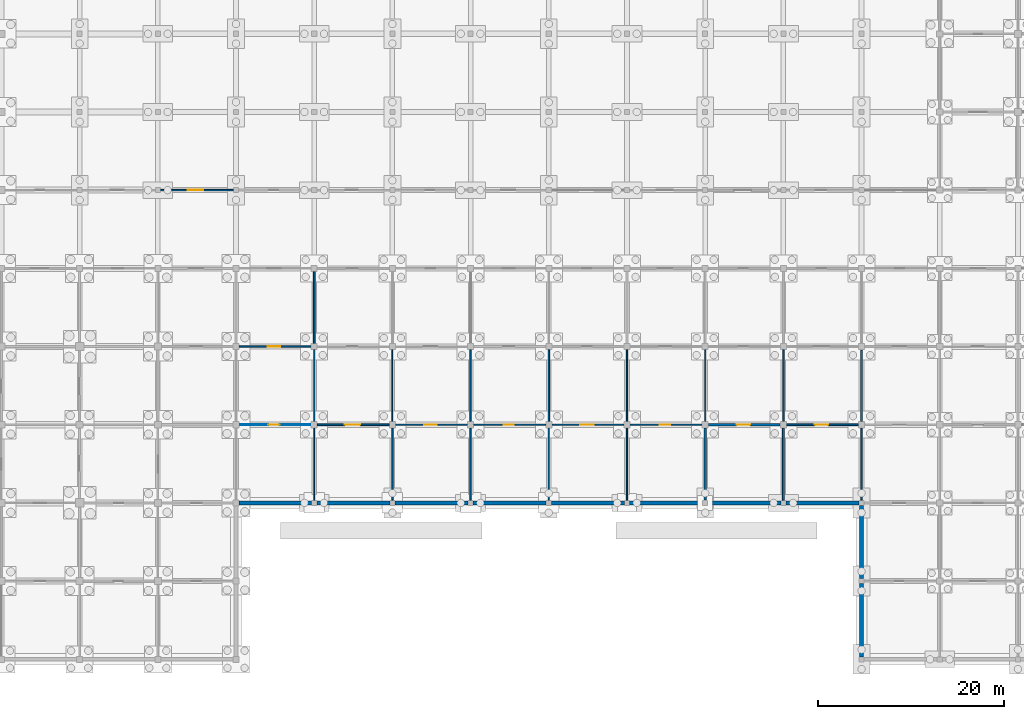
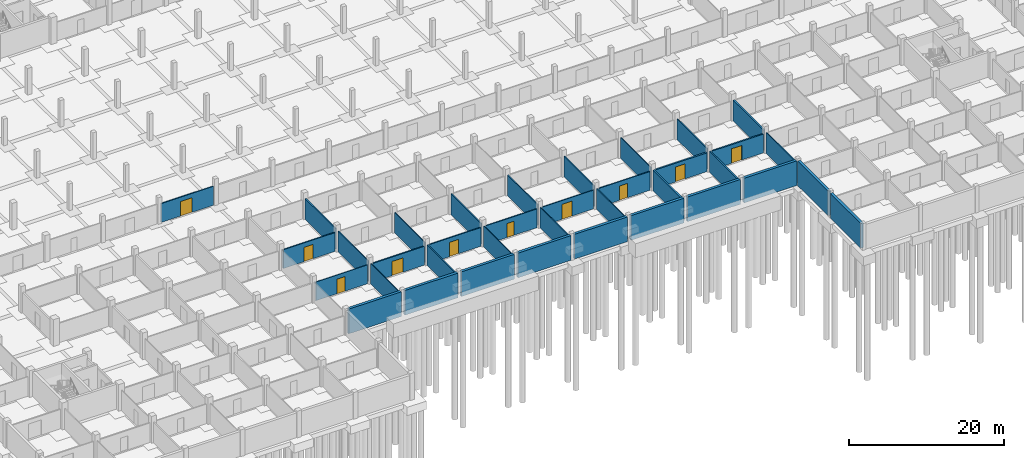
# One storey, part 22 of 43: 37 walls, 10 doors, 10 openings.
"""IFC4 building model written with IfcOpenShell, lengths in metres."""

from ifc_helpers import new_model, si_unit, direction, frame, frame_2d, origin, place, context, subcontext, project, spatial, rectangle, extrude, material, layer, layer_set, type_object, element, fill, save


model = new_model("IFC4")

# Units and contexts
model_context = context("Model", 3, precision=1e-05, world=origin(), true_north=direction((0.0, 1.0)))
body_context = subcontext(model_context, "Body", "Model", "MODEL_VIEW")
ifc_project = project(units=[si_unit("LENGTHUNIT", "METRE"), si_unit("AREAUNIT", "SQUARE_METRE"), si_unit("VOLUMEUNIT", "CUBIC_METRE"), si_unit("PLANEANGLEUNIT", "RADIAN"), si_unit("MASSUNIT", "GRAM", prefix="KILO")], contexts=[model_context])

# Site, building, storey
site_placement = place(None, origin())
site = spatial("IfcSite", under=ifc_project, at=site_placement, CompositionType="ELEMENT")
building_placement = place(site_placement, origin())
building = spatial("IfcBuilding", under=site, at=building_placement, Name="Varnapada Polytechnic", CompositionType="ELEMENT")
storey_placement = place(building_placement, frame((0.0, 0.0, -4.199951171875)))
storey = spatial("IfcBuildingStorey", under=building, at=storey_placement, Name="B1", CompositionType="ELEMENT", Elevation=-4.199951171875)

# Wall, opening, door
ifc_material_1 = material(Name="Autoclaved Aerated Concrete Block AAC-600", Category="concrete")
ifc_layer_1 = layer(ifc_material_1, 0.14990234375)
ifc_layer_set_1 = layer_set([ifc_layer_1], Name="Autoclaved Aerated Concrete Block AAC-600")
wall_type_1 = type_object("IfcWallType", Name="Interior Wall IW-02", PredefinedType="PARTITIONING", material=ifc_layer_set_1)
wall_1_placement = place(storey_placement, frame((50.695068359375, 50.39990234375, 0.0), z_axis=(0.0, 0.0, 1.0), x_axis=(1.0, 0.0, 0.0)))
wall_1 = element("IfcWall", 1, at=wall_1_placement, inside=storey, type_object=wall_type_1, Name="B1 interior partition IW-B1-06-05-H", PredefinedType="PARTITIONING", context=body_context, shape_type="SweptSolid", body=[
    extrude(rectangle(XDim=7.809814453125, YDim=0.14990234375, at=frame_2d((3.90478515625, 0.0))), origin(), (0.0, 0.0, 1.0), 2.969970703125),
])
opening_1_placement = place(wall_1_placement, frame((2.89990234375, 0.0, 0.0)))
opening_1 = element("IfcOpeningElement", 2, at=opening_1_placement, cuts=wall_1, Name="Opening D-674", PredefinedType="OPENING", context=body_context, shape_type="SweptSolid", body=[
    extrude(rectangle(XDim=1.699951171875, YDim=2.300048828125, at=frame_2d((0.85009765625, 1.14990234375))), frame((0.0, 0.0849609375, 0.0), z_axis=(0.0, -1.0, 0.0), x_axis=(1.0, 0.0, 0.0)), (0.0, 0.0, 1.0), 0.169921875),
])
ifc_material_2 = material(Name="Acoustic Double Timber Leaf", Category="wood")
door_type_1 = type_object("IfcDoorType", Name="Interior Door ID-13", OperationType="NOTDEFINED", PredefinedType="DOOR", material=ifc_material_2)
door_1_placement = place(opening_1_placement, frame((1.699951171875, 0.0, 0.0), z_axis=(0.0, 0.0, 1.0), x_axis=(-1.0, 0.0, 0.0)))
door_1 = element("IfcDoor", 3, at=door_1_placement, inside=storey, type_object=door_type_1, Name="B1 interior room door D-674", OperationType="SINGLE_SWING_LEFT", OverallHeight=2.300048828125, OverallWidth=1.699951171875, PredefinedType="DOOR", context=body_context, shape_type="SweptSolid", body=[
    extrude(rectangle(XDim=1.699951171875, YDim=2.300048828125, at=frame_2d((0.85009765625, 1.14990234375))), frame((0.0, 0.02490234375, 0.0), z_axis=(0.0, -1.0, 0.0), x_axis=(1.0, 0.0, 0.0)), (0.0, 0.0, 1.0), 0.050048828125),
])
fill(opening_1, door_1)

# Wall
wall_2_placement = place(storey_placement, frame((100.800048828125, 17.094970703125, 0.0), z_axis=(0.0, 0.0, 1.0), x_axis=(0.0, 1.0, 0.0)))
element("IfcWall", 4, at=wall_2_placement, inside=storey, type_object=wall_type_1, Name="B1 interior partition IW-B1-11-02-V", PredefinedType="PARTITIONING", context=body_context, shape_type="SweptSolid", body=[
    extrude(rectangle(XDim=7.760009765625, YDim=0.14990234375, at=frame_2d((3.8798828125, 0.0))), origin(), (0.0, 0.0, 1.0), 3.25),
])

# Wall, opening, door
wall_3_placement = place(storey_placement, frame((101.14501953125, 25.199951171875, 0.0), z_axis=(0.0, 0.0, 1.0), x_axis=(1.0, 0.0, 0.0)))
wall_3 = element("IfcWall", 5, at=wall_3_placement, inside=storey, type_object=wall_type_1, Name="B1 interior partition IW-B1-12-02-H", PredefinedType="PARTITIONING", context=body_context, shape_type="SweptSolid", body=[
    extrude(rectangle(XDim=7.7099609375, YDim=0.14990234375, at=frame_2d((3.85498046875, 0.0))), origin(), (0.0, 0.0, 1.0), 2.949951171875),
])
opening_2_placement = place(wall_3_placement, frame((3.175048828125, 0.0, 0.0)))
opening_2 = element("IfcOpeningElement", 6, at=opening_2_placement, cuts=wall_3, Name="Opening D-722", PredefinedType="OPENING", context=body_context, shape_type="SweptSolid", body=[
    extrude(rectangle(XDim=1.14990234375, YDim=2.25, at=frame_2d((0.574951171875, 1.125))), frame((0.0, 0.0849609375, 0.0), z_axis=(0.0, -1.0, 0.0), x_axis=(1.0, 0.0, 0.0)), (0.0, 0.0, 1.0), 0.169921875),
])
ifc_material_3 = material(Name="Powder-Coated Aluminium 6063-T6", Category="aluminium")
door_type_2 = type_object("IfcDoorType", Name="Interior Door ID-10", OperationType="NOTDEFINED", PredefinedType="DOOR", material=ifc_material_3)
door_2_placement = place(opening_2_placement, frame((1.14990234375, 0.0, 0.0), z_axis=(0.0, 0.0, 1.0), x_axis=(-1.0, 0.0, 0.0)))
door_2 = element("IfcDoor", 7, at=door_2_placement, inside=storey, type_object=door_type_2, Name="B1 interior room door D-722", OperationType="SINGLE_SWING_LEFT", OverallHeight=2.25, OverallWidth=1.14990234375, PredefinedType="DOOR", context=body_context, shape_type="SweptSolid", body=[
    extrude(rectangle(XDim=1.14990234375, YDim=2.25, at=frame_2d((0.574951171875, 1.125))), frame((0.0, 0.02490234375, 0.0), z_axis=(0.0, -1.0, 0.0), x_axis=(1.0, 0.0, 0.0)), (0.0, 0.0, 1.0), 0.050048828125),
])
fill(opening_2, door_2)

# Walls
wall_4_placement = place(storey_placement, frame((117.60009765625, 25.544921875, 0.0), z_axis=(0.0, 0.0, 1.0), x_axis=(0.0, 1.0, 0.0)))
element("IfcWall", 8, at=wall_4_placement, inside=storey, type_object=wall_type_1, Name="B1 interior partition IW-B1-13-03-V", PredefinedType="PARTITIONING", context=body_context, shape_type="SweptSolid", body=[
    extrude(rectangle(XDim=7.7099609375, YDim=0.14990234375, at=frame_2d((3.85498046875, 0.0))), origin(), (0.0, 0.0, 1.0), 3.25),
])
ifc_material_4 = material(Name="Gypsum Plasterboard Acoustic Partition")
ifc_layer_2 = layer(ifc_material_4, 0.125)
ifc_layer_set_2 = layer_set([ifc_layer_2], Name="Gypsum Plasterboard Acoustic Partition")
wall_type_2 = type_object("IfcWallType", Name="Interior Wall IW-03", PredefinedType="PARTITIONING", material=ifc_layer_set_2)
wall_5_placement = place(storey_placement, frame((92.39990234375, 17.094970703125, 0.0), z_axis=(0.0, 0.0, 1.0), x_axis=(0.0, 1.0, 0.0)))
element("IfcWall", 9, at=wall_5_placement, inside=storey, type_object=wall_type_2, Name="B1 interior partition IW-B1-10-02-V", PredefinedType="PARTITIONING", context=body_context, shape_type="SweptSolid", body=[
    extrude(rectangle(XDim=7.760009765625, YDim=0.125, at=frame_2d((3.8798828125, 0.0))), origin(), (0.0, 0.0, 1.0), 3.25),
])

# Wall, opening, door
wall_6_placement = place(storey_placement, frame((92.7451171875, 25.199951171875, 0.0), z_axis=(0.0, 0.0, 1.0), x_axis=(1.0, 0.0, 0.0)))
wall_6 = element("IfcWall", 10, at=wall_6_placement, inside=storey, type_object=wall_type_2, Name="B1 interior partition IW-B1-11-02-H", PredefinedType="PARTITIONING", context=body_context, shape_type="SweptSolid", body=[
    extrude(rectangle(XDim=7.7099609375, YDim=0.125, at=frame_2d((3.85498046875, 0.0))), origin(), (0.0, 0.0, 1.0), 2.949951171875),
])
opening_3_placement = place(wall_6_placement, frame((3.02490234375, 0.0, 0.0)))
opening_3 = element("IfcOpeningElement", 11, at=opening_3_placement, cuts=wall_6, Name="Opening D-713", PredefinedType="OPENING", context=body_context, shape_type="SweptSolid", body=[
    extrude(rectangle(XDim=1.449951171875, YDim=2.35009765625, at=frame_2d((0.72509765625, 1.175048828125))), frame((0.0, 0.072509765625, 0.0), z_axis=(0.0, -1.0, 0.0), x_axis=(1.0, 0.0, 0.0)), (0.0, 0.0, 1.0), 0.14501953125),
])
ifc_material_5 = material(Name="Galvanized Steel Z275", Category="steel")
door_type_3 = type_object("IfcDoorType", Name="Interior Door ID-18", OperationType="NOTDEFINED", PredefinedType="DOOR", material=ifc_material_5)
door_3_placement = place(opening_3_placement, frame((1.449951171875, 0.0, 0.0), z_axis=(0.0, 0.0, 1.0), x_axis=(-1.0, 0.0, 0.0)))
door_3 = element("IfcDoor", 12, at=door_3_placement, inside=storey, type_object=door_type_3, Name="B1 interior room door D-713", OperationType="SINGLE_SWING_RIGHT", OverallHeight=2.35009765625, OverallWidth=1.449951171875, PredefinedType="DOOR", context=body_context, shape_type="SweptSolid", body=[
    extrude(rectangle(XDim=1.449951171875, YDim=2.35009765625, at=frame_2d((0.72509765625, 1.175048828125))), frame((0.0, 0.02490234375, 0.0), z_axis=(0.0, -1.0, 0.0), x_axis=(1.0, 0.0, 0.0)), (0.0, 0.0, 1.0), 0.050048828125),
])
fill(opening_3, door_3)

# Walls
wall_7_placement = place(storey_placement, frame((109.199951171875, 25.544921875, 0.0), z_axis=(0.0, 0.0, 1.0), x_axis=(0.0, 1.0, 0.0)))
element("IfcWall", 13, at=wall_7_placement, inside=storey, type_object=wall_type_2, Name="B1 interior partition IW-B1-12-03-V", PredefinedType="PARTITIONING", context=body_context, shape_type="SweptSolid", body=[
    extrude(rectangle(XDim=7.7099609375, YDim=0.125, at=frame_2d((3.85498046875, 0.0))), origin(), (0.0, 0.0, 1.0), 3.25),
])
ifc_material_6 = material(Name="Moisture-Resistant Cement Board Partition")
ifc_layer_3 = layer(ifc_material_6, 0.139892578125)
ifc_layer_set_3 = layer_set([ifc_layer_3], Name="Moisture-Resistant Cement Board Partition")
wall_type_3 = type_object("IfcWallType", Name="Interior Wall IW-04", PredefinedType="PARTITIONING", material=ifc_layer_set_3)
wall_8_placement = place(storey_placement, frame((84.0, 17.094970703125, 0.0), z_axis=(0.0, 0.0, 1.0), x_axis=(0.0, 1.0, 0.0)))
element("IfcWall", 14, at=wall_8_placement, inside=storey, type_object=wall_type_3, Name="B1 interior partition IW-B1-09-02-V", PredefinedType="PARTITIONING", context=body_context, shape_type="SweptSolid", body=[
    extrude(rectangle(XDim=7.760009765625, YDim=0.139892578125, at=frame_2d((3.8798828125, 0.0))), origin(), (0.0, 0.0, 1.0), 3.25),
])

# Wall, opening, door
wall_9_placement = place(storey_placement, frame((84.344970703125, 25.199951171875, 0.0), z_axis=(0.0, 0.0, 1.0), x_axis=(1.0, 0.0, 0.0)))
wall_9 = element("IfcWall", 15, at=wall_9_placement, inside=storey, type_object=wall_type_3, Name="B1 interior partition IW-B1-10-02-H", PredefinedType="PARTITIONING", context=body_context, shape_type="SweptSolid", body=[
    extrude(rectangle(XDim=7.7099609375, YDim=0.139892578125, at=frame_2d((3.85498046875, 0.0))), origin(), (0.0, 0.0, 1.0), 2.949951171875),
])
opening_4_placement = place(wall_9_placement, frame((3.22509765625, 0.0, 0.0)))
opening_4 = element("IfcOpeningElement", 16, at=opening_4_placement, cuts=wall_9, Name="Opening D-704", PredefinedType="OPENING", context=body_context, shape_type="SweptSolid", body=[
    extrude(rectangle(XDim=1.050048828125, YDim=2.199951171875, at=frame_2d((0.52490234375, 1.10009765625))), frame((0.0, 0.079833984375, 0.0), z_axis=(0.0, -1.0, 0.0), x_axis=(1.0, 0.0, 0.0)), (0.0, 0.0, 1.0), 0.159912109375),
])
ifc_material_7 = material(Name="Solid Teak Hardwood Timber", Category="wood")
door_type_4 = type_object("IfcDoorType", Name="Interior Door ID-09", OperationType="NOTDEFINED", PredefinedType="DOOR", material=ifc_material_7)
door_4_placement = place(opening_4_placement, frame((1.050048828125, 0.0, 0.0), z_axis=(0.0, 0.0, 1.0), x_axis=(-1.0, 0.0, 0.0)))
door_4 = element("IfcDoor", 17, at=door_4_placement, inside=storey, type_object=door_type_4, Name="B1 interior room door D-704", OperationType="SINGLE_SWING_LEFT", OverallHeight=2.199951171875, OverallWidth=1.050048828125, PredefinedType="DOOR", context=body_context, shape_type="SweptSolid", body=[
    extrude(rectangle(XDim=1.050048828125, YDim=2.199951171875, at=frame_2d((0.52490234375, 1.10009765625))), frame((0.0, 0.02490234375, 0.0), z_axis=(0.0, -1.0, 0.0), x_axis=(1.0, 0.0, 0.0)), (0.0, 0.0, 1.0), 0.050048828125),
])
fill(opening_4, door_4)

# Walls
wall_10_placement = place(storey_placement, frame((100.800048828125, 25.544921875, 0.0), z_axis=(0.0, 0.0, 1.0), x_axis=(0.0, 1.0, 0.0)))
element("IfcWall", 18, at=wall_10_placement, inside=storey, type_object=wall_type_3, Name="B1 interior partition IW-B1-11-03-V", PredefinedType="PARTITIONING", context=body_context, shape_type="SweptSolid", body=[
    extrude(rectangle(XDim=7.7099609375, YDim=0.139892578125, at=frame_2d((3.85498046875, 0.0))), origin(), (0.0, 0.0, 1.0), 3.25),
])
ifc_material_8 = material(Name="Cross-laminated timber CLT C24", Category="wood")
ifc_layer_4 = layer(ifc_material_8, 0.159912109375)
ifc_layer_set_4 = layer_set([ifc_layer_4], Name="Cross-laminated timber CLT C24")
wall_type_4 = type_object("IfcWallType", Name="Interior Wall IW-05", PredefinedType="PARTITIONING", material=ifc_layer_set_4)
wall_11_placement = place(storey_placement, frame((75.60009765625, 17.094970703125, 0.0), z_axis=(0.0, 0.0, 1.0), x_axis=(0.0, 1.0, 0.0)))
element("IfcWall", 19, at=wall_11_placement, inside=storey, type_object=wall_type_4, Name="B1 interior partition IW-B1-08-02-V", PredefinedType="PARTITIONING", context=body_context, shape_type="SweptSolid", body=[
    extrude(rectangle(XDim=7.760009765625, YDim=0.159912109375, at=frame_2d((3.8798828125, 0.0))), origin(), (0.0, 0.0, 1.0), 3.25),
])

# Wall, opening, door
wall_12_placement = place(storey_placement, frame((75.945068359375, 25.199951171875, 0.0), z_axis=(0.0, 0.0, 1.0), x_axis=(1.0, 0.0, 0.0)))
wall_12 = element("IfcWall", 20, at=wall_12_placement, inside=storey, type_object=wall_type_4, Name="B1 interior partition IW-B1-09-02-H", PredefinedType="PARTITIONING", context=body_context, shape_type="SweptSolid", body=[
    extrude(rectangle(XDim=7.7099609375, YDim=0.159912109375, at=frame_2d((3.85498046875, 0.0))), origin(), (0.0, 0.0, 1.0), 2.949951171875),
])
opening_5_placement = place(wall_12_placement, frame((3.074951171875, 0.0, 0.0)))
opening_5 = element("IfcOpeningElement", 21, at=opening_5_placement, cuts=wall_12, Name="Opening D-695", PredefinedType="OPENING", context=body_context, shape_type="SweptSolid", body=[
    extrude(rectangle(XDim=1.35009765625, YDim=2.25, at=frame_2d((0.675048828125, 1.125))), frame((0.0, 0.08984375, 0.0), z_axis=(0.0, -1.0, 0.0), x_axis=(1.0, 0.0, 0.0)), (0.0, 0.0, 1.0), 0.179931640625),
])
door_type_5 = type_object("IfcDoorType", Name="Interior Door ID-17", OperationType="NOTDEFINED", PredefinedType="DOOR", material=ifc_material_3)
door_5_placement = place(opening_5_placement, frame((1.35009765625, 0.0, 0.0), z_axis=(0.0, 0.0, 1.0), x_axis=(-1.0, 0.0, 0.0)))
door_5 = element("IfcDoor", 22, at=door_5_placement, inside=storey, type_object=door_type_5, Name="B1 interior room door D-695", OperationType="SINGLE_SWING_RIGHT", OverallHeight=2.25, OverallWidth=1.35009765625, PredefinedType="DOOR", context=body_context, shape_type="SweptSolid", body=[
    extrude(rectangle(XDim=1.35009765625, YDim=2.25, at=frame_2d((0.675048828125, 1.125))), frame((0.0, 0.02490234375, 0.0), z_axis=(0.0, -1.0, 0.0), x_axis=(1.0, 0.0, 0.0)), (0.0, 0.0, 1.0), 0.050048828125),
])
fill(opening_5, door_5)

# Wall
wall_13_placement = place(storey_placement, frame((92.39990234375, 25.544921875, 0.0), z_axis=(0.0, 0.0, 1.0), x_axis=(0.0, 1.0, 0.0)))
element("IfcWall", 23, at=wall_13_placement, inside=storey, type_object=wall_type_4, Name="B1 interior partition IW-B1-10-03-V", PredefinedType="PARTITIONING", context=body_context, shape_type="SweptSolid", body=[
    extrude(rectangle(XDim=7.7099609375, YDim=0.159912109375, at=frame_2d((3.85498046875, 0.0))), origin(), (0.0, 0.0, 1.0), 3.25),
])

# Wall, opening, door
ifc_material_9 = material(Name="Acoustic Double-Stud Studio Partition")
ifc_layer_5 = layer(ifc_material_9, 0.179931640625)
ifc_layer_set_5 = layer_set([ifc_layer_5], Name="Acoustic Double-Stud Studio Partition")
wall_type_5 = type_object("IfcWallType", Name="Interior Wall IW-06", PredefinedType="PARTITIONING", material=ifc_layer_set_5)
wall_14_placement = place(storey_placement, frame((67.544921875, 25.199951171875, 0.0), z_axis=(0.0, 0.0, 1.0), x_axis=(1.0, 0.0, 0.0)))
wall_14 = element("IfcWall", 24, at=wall_14_placement, inside=storey, type_object=wall_type_5, Name="B1 interior partition IW-B1-08-02-H", PredefinedType="PARTITIONING", context=body_context, shape_type="SweptSolid", body=[
    extrude(rectangle(XDim=7.7099609375, YDim=0.179931640625, at=frame_2d((3.85498046875, 0.0))), origin(), (0.0, 0.0, 1.0), 2.949951171875),
])
opening_6_placement = place(wall_14_placement, frame((2.925048828125, 0.0, 0.0)))
opening_6 = element("IfcOpeningElement", 25, at=opening_6_placement, cuts=wall_14, Name="Opening D-686", PredefinedType="OPENING", context=body_context, shape_type="SweptSolid", body=[
    extrude(rectangle(XDim=1.64990234375, YDim=2.25, at=frame_2d((0.824951171875, 1.125))), frame((0.0, 0.099853515625, 0.0), z_axis=(0.0, -1.0, 0.0), x_axis=(1.0, 0.0, 0.0)), (0.0, 0.0, 1.0), 0.199951171875),
])
door_type_6 = type_object("IfcDoorType", Name="Interior Door ID-08", OperationType="NOTDEFINED", PredefinedType="DOOR", material=ifc_material_7)
door_6_placement = place(opening_6_placement, frame((1.64990234375, 0.0, 0.0), z_axis=(0.0, 0.0, 1.0), x_axis=(-1.0, 0.0, 0.0)))
door_6 = element("IfcDoor", 26, at=door_6_placement, inside=storey, type_object=door_type_6, Name="B1 interior room door D-686", OperationType="SINGLE_SWING_LEFT", OverallHeight=2.25, OverallWidth=1.64990234375, PredefinedType="DOOR", context=body_context, shape_type="SweptSolid", body=[
    extrude(rectangle(XDim=1.64990234375, YDim=2.25, at=frame_2d((0.824951171875, 1.125))), frame((0.0, 0.02490234375, 0.0), z_axis=(0.0, -1.0, 0.0), x_axis=(1.0, 0.0, 0.0)), (0.0, 0.0, 1.0), 0.050048828125),
])
fill(opening_6, door_6)

# Walls
wall_15_placement = place(storey_placement, frame((84.0, 25.544921875, 0.0), z_axis=(0.0, 0.0, 1.0), x_axis=(0.0, 1.0, 0.0)))
element("IfcWall", 27, at=wall_15_placement, inside=storey, type_object=wall_type_5, Name="B1 interior partition IW-B1-09-03-V", PredefinedType="PARTITIONING", context=body_context, shape_type="SweptSolid", body=[
    extrude(rectangle(XDim=7.7099609375, YDim=0.179931640625, at=frame_2d((3.85498046875, 0.0))), origin(), (0.0, 0.0, 1.0), 3.25),
])
ifc_material_10 = material(Name="Glazed Timber-Framed Studio Screen", Category="wood")
ifc_layer_6 = layer(ifc_material_10, 0.110107421875)
ifc_layer_set_6 = layer_set([ifc_layer_6], Name="Glazed Timber-Framed Studio Screen")
wall_type_6 = type_object("IfcWallType", Name="Interior Wall IW-07", PredefinedType="PARTITIONING", material=ifc_layer_set_6)
wall_16_placement = place(storey_placement, frame((67.199951171875, 17.094970703125, 0.0), z_axis=(0.0, 0.0, 1.0), x_axis=(0.0, 1.0, 0.0)))
element("IfcWall", 28, at=wall_16_placement, inside=storey, type_object=wall_type_6, Name="B1 interior partition IW-B1-07-02-V", PredefinedType="PARTITIONING", context=body_context, shape_type="SweptSolid", body=[
    extrude(rectangle(XDim=7.760009765625, YDim=0.110107421875, at=frame_2d((3.8798828125, 0.0))), origin(), (0.0, 0.0, 1.0), 3.25),
])
wall_17_placement = place(storey_placement, frame((75.60009765625, 25.544921875, 0.0), z_axis=(0.0, 0.0, 1.0), x_axis=(0.0, 1.0, 0.0)))
element("IfcWall", 29, at=wall_17_placement, inside=storey, type_object=wall_type_6, Name="B1 interior partition IW-B1-08-03-V", PredefinedType="PARTITIONING", context=body_context, shape_type="SweptSolid", body=[
    extrude(rectangle(XDim=7.7099609375, YDim=0.110107421875, at=frame_2d((3.85498046875, 0.0))), origin(), (0.0, 0.0, 1.0), 3.25),
])

# Wall, opening, door
ifc_material_11 = material(Name="Operable Acoustic Seminar Partition")
ifc_layer_7 = layer(ifc_material_11, 0.10009765625)
ifc_layer_set_7 = layer_set([ifc_layer_7], Name="Operable Acoustic Seminar Partition")
wall_type_7 = type_object("IfcWallType", Name="Interior Wall IW-08", PredefinedType="MOVABLE", material=ifc_layer_set_7)
wall_18_placement = place(storey_placement, frame((59.14501953125, 25.199951171875, 0.0), z_axis=(0.0, 0.0, 1.0), x_axis=(1.0, 0.0, 0.0)))
wall_18 = element("IfcWall", 30, at=wall_18_placement, inside=storey, type_object=wall_type_7, Name="B1 interior partition IW-B1-07-02-H", PredefinedType="MOVABLE", context=body_context, shape_type="SweptSolid", body=[
    extrude(rectangle(XDim=7.7099609375, YDim=0.10009765625, at=frame_2d((3.85498046875, 0.0))), origin(), (0.0, 0.0, 1.0), 2.949951171875),
])
opening_7_placement = place(wall_18_placement, frame((3.125, 0.0, 0.0)))
opening_7 = element("IfcOpeningElement", 31, at=opening_7_placement, cuts=wall_18, Name="Opening D-677", PredefinedType="OPENING", context=body_context, shape_type="SweptSolid", body=[
    extrude(rectangle(XDim=1.25, YDim=2.300048828125, at=frame_2d((0.625, 1.14990234375))), frame((0.0, 0.06005859375, 0.0), z_axis=(0.0, -1.0, 0.0), x_axis=(1.0, 0.0, 0.0)), (0.0, 0.0, 1.0), 0.1201171875),
])
door_type_7 = type_object("IfcDoorType", Name="Interior Door ID-16", OperationType="NOTDEFINED", PredefinedType="DOOR", material=ifc_material_7)
door_7_placement = place(opening_7_placement, frame((1.25, 0.0, 0.0), z_axis=(0.0, 0.0, 1.0), x_axis=(-1.0, 0.0, 0.0)))
door_7 = element("IfcDoor", 32, at=door_7_placement, inside=storey, type_object=door_type_7, Name="B1 interior room door D-677", OperationType="SINGLE_SWING_RIGHT", OverallHeight=2.300048828125, OverallWidth=1.25, PredefinedType="DOOR", context=body_context, shape_type="SweptSolid", body=[
    extrude(rectangle(XDim=1.25, YDim=2.300048828125, at=frame_2d((0.625, 1.14990234375))), frame((0.0, 0.02490234375, 0.0), z_axis=(0.0, -1.0, 0.0), x_axis=(1.0, 0.0, 0.0)), (0.0, 0.0, 1.0), 0.050048828125),
])
fill(opening_7, door_7)

# Wall
ifc_material_12 = material(Name="Calcium Silicate Acoustic Lab Partition")
ifc_layer_8 = layer(ifc_material_12, 0.135009765625)
ifc_layer_set_8 = layer_set([ifc_layer_8], Name="Calcium Silicate Acoustic Lab Partition")
wall_type_8 = type_object("IfcWallType", Name="Interior Wall IW-09", PredefinedType="PARTITIONING", material=ifc_layer_set_8)
wall_19_placement = place(storey_placement, frame((67.199951171875, 25.544921875, 0.0), z_axis=(0.0, 0.0, 1.0), x_axis=(0.0, 1.0, 0.0)))
element("IfcWall", 33, at=wall_19_placement, inside=storey, type_object=wall_type_8, Name="B1 interior partition IW-B1-07-03-V", PredefinedType="PARTITIONING", context=body_context, shape_type="SweptSolid", body=[
    extrude(rectangle(XDim=7.7099609375, YDim=0.135009765625, at=frame_2d((3.85498046875, 0.0))), origin(), (0.0, 0.0, 1.0), 3.25),
])

# Wall, opening, door
ifc_material_13 = material(Name="Double-Layer Fireboard Workshop Wall")
ifc_layer_9 = layer(ifc_material_13, 0.169921875)
ifc_layer_set_9 = layer_set([ifc_layer_9], Name="Double-Layer Fireboard Workshop Wall")
wall_type_9 = type_object("IfcWallType", Name="Interior Wall IW-10", PredefinedType="PARTITIONING", material=ifc_layer_set_9)
wall_20_placement = place(storey_placement, frame((59.14501953125, 33.60009765625, 0.0), z_axis=(0.0, 0.0, 1.0), x_axis=(1.0, 0.0, 0.0)))
wall_20 = element("IfcWall", 34, at=wall_20_placement, inside=storey, type_object=wall_type_9, Name="B1 interior partition IW-B1-07-03-H", PredefinedType="PARTITIONING", context=body_context, shape_type="SweptSolid", body=[
    extrude(rectangle(XDim=7.7099609375, YDim=0.169921875, at=frame_2d((3.85498046875, 0.0))), origin(), (0.0, 0.0, 1.0), 2.949951171875),
])
opening_8_placement = place(wall_20_placement, frame((3.074951171875, 0.0, 0.0)))
opening_8 = element("IfcOpeningElement", 35, at=opening_8_placement, cuts=wall_20, Name="Opening D-678", PredefinedType="OPENING", context=body_context, shape_type="SweptSolid", body=[
    extrude(rectangle(XDim=1.35009765625, YDim=2.25, at=frame_2d((0.675048828125, 1.125))), frame((0.0, 0.094970703125, 0.0), z_axis=(0.0, -1.0, 0.0), x_axis=(1.0, 0.0, 0.0)), (0.0, 0.0, 1.0), 0.18994140625),
])
door_8_placement = place(opening_8_placement, origin())
door_8 = element("IfcDoor", 36, at=door_8_placement, inside=storey, type_object=door_type_5, Name="B1 interior room door D-678", OperationType="SINGLE_SWING_LEFT", OverallHeight=2.25, OverallWidth=1.35009765625, PredefinedType="DOOR", context=body_context, shape_type="SweptSolid", body=[
    extrude(rectangle(XDim=1.35009765625, YDim=2.25, at=frame_2d((0.675048828125, 1.125))), frame((0.0, 0.02490234375, 0.0), z_axis=(0.0, -1.0, 0.0), x_axis=(1.0, 0.0, 0.0)), (0.0, 0.0, 1.0), 0.050048828125),
])
fill(opening_8, door_8)

# Walls
ifc_material_14 = material(Name="Insulated Masonry Plant Room Wall", Category="masonry")
ifc_layer_10 = layer(ifc_material_14, 0.18994140625)
ifc_layer_set_10 = layer_set([ifc_layer_10], Name="Insulated Masonry Plant Room Wall")
wall_type_10 = type_object("IfcWallType", Name="Interior Wall IW-11", PredefinedType="PARTITIONING", material=ifc_layer_set_10)
wall_21_placement = place(storey_placement, frame((67.199951171875, 33.945068359375, 0.0), z_axis=(0.0, 0.0, 1.0), x_axis=(0.0, 1.0, 0.0)))
element("IfcWall", 37, at=wall_21_placement, inside=storey, type_object=wall_type_10, Name="B1 interior partition IW-B1-07-04-V", PredefinedType="PARTITIONING", context=body_context, shape_type="SweptSolid", body=[
    extrude(rectangle(XDim=7.7099609375, YDim=0.18994140625, at=frame_2d((3.85498046875, 0.0))), origin(), (0.0, 0.0, 1.0), 3.25),
])
ifc_material_15 = material(Name="Perforated Timber-Lined Seminar Wall", Category="wood")
ifc_layer_11 = layer(ifc_material_15, 0.155029296875)
ifc_layer_set_11 = layer_set([ifc_layer_11], Name="Perforated Timber-Lined Seminar Wall")
wall_type_11 = type_object("IfcWallType", Name="Interior Wall IW-15", PredefinedType="PARTITIONING", material=ifc_layer_set_11)
wall_22_placement = place(storey_placement, frame((126.0, 17.094970703125, 0.0), z_axis=(0.0, 0.0, 1.0), x_axis=(0.0, 1.0, 0.0)))
element("IfcWall", 38, at=wall_22_placement, inside=storey, type_object=wall_type_11, Name="B1 interior partition IW-B1-14-02-V", PredefinedType="PARTITIONING", context=body_context, shape_type="SweptSolid", body=[
    extrude(rectangle(XDim=7.760009765625, YDim=0.155029296875, at=frame_2d((3.8798828125, 0.0))), origin(), (0.0, 0.0, 1.0), 3.25),
])
ifc_material_16 = material(Name="Heavy Masonry Workshop Partition", Category="masonry")
ifc_layer_12 = layer(ifc_material_16, 0.2099609375)
ifc_layer_set_12 = layer_set([ifc_layer_12], Name="Heavy Masonry Workshop Partition")
wall_type_12 = type_object("IfcWallType", Name="Interior Wall IW-16", PredefinedType="PARTITIONING", material=ifc_layer_set_12)
wall_23_placement = place(storey_placement, frame((117.60009765625, 17.094970703125, 0.0), z_axis=(0.0, 0.0, 1.0), x_axis=(0.0, 1.0, 0.0)))
element("IfcWall", 39, at=wall_23_placement, inside=storey, type_object=wall_type_12, Name="B1 interior partition IW-B1-13-02-V", PredefinedType="PARTITIONING", context=body_context, shape_type="SweptSolid", body=[
    extrude(rectangle(XDim=7.760009765625, YDim=0.2099609375, at=frame_2d((3.8798828125, 0.0))), origin(), (0.0, 0.0, 1.0), 3.25),
])

# Wall, opening, door
wall_24_placement = place(storey_placement, frame((117.945068359375, 25.199951171875, 0.0), z_axis=(0.0, 0.0, 1.0), x_axis=(1.0, 0.0, 0.0)))
wall_24 = element("IfcWall", 40, at=wall_24_placement, inside=storey, type_object=wall_type_12, Name="B1 interior partition IW-B1-14-02-H", PredefinedType="PARTITIONING", context=body_context, shape_type="SweptSolid", body=[
    extrude(rectangle(XDim=7.7099609375, YDim=0.2099609375, at=frame_2d((3.85498046875, 0.0))), origin(), (0.0, 0.0, 1.0), 2.949951171875),
])
opening_9_placement = place(wall_24_placement, frame((3.0, 0.0, 0.0)))
opening_9 = element("IfcOpeningElement", 41, at=opening_9_placement, cuts=wall_24, Name="Opening D-736", PredefinedType="OPENING", context=body_context, shape_type="SweptSolid", body=[
    extrude(rectangle(XDim=1.5, YDim=2.300048828125, at=frame_2d((0.75, 1.14990234375))), frame((0.0, 0.114990234375, 0.0), z_axis=(0.0, -1.0, 0.0), x_axis=(1.0, 0.0, 0.0)), (0.0, 0.0, 1.0), 0.22998046875),
])
door_type_8 = type_object("IfcDoorType", Name="Interior Door ID-07", OperationType="NOTDEFINED", PredefinedType="DOOR", material=ifc_material_5)
door_9_placement = place(opening_9_placement, origin())
door_9 = element("IfcDoor", 42, at=door_9_placement, inside=storey, type_object=door_type_8, Name="B1 interior room door D-736", OperationType="SINGLE_SWING_LEFT", OverallHeight=2.300048828125, OverallWidth=1.5, PredefinedType="DOOR", context=body_context, shape_type="SweptSolid", body=[
    extrude(rectangle(XDim=1.5, YDim=2.300048828125, at=frame_2d((0.75, 1.14990234375))), frame((0.0, 0.02490234375, 0.0), z_axis=(0.0, -1.0, 0.0), x_axis=(1.0, 0.0, 0.0)), (0.0, 0.0, 1.0), 0.050048828125),
])
fill(opening_9, door_9)

# Wall
ifc_material_17 = material(Name="Double-Leaf Acoustic Lecture Wall")
ifc_layer_13 = layer(ifc_material_17, 0.235107421875)
ifc_layer_set_13 = layer_set([ifc_layer_13], Name="Double-Leaf Acoustic Lecture Wall")
wall_type_13 = type_object("IfcWallType", Name="Interior Wall IW-17", PredefinedType="PARTITIONING", material=ifc_layer_set_13)
wall_25_placement = place(storey_placement, frame((109.199951171875, 17.094970703125, 0.0), z_axis=(0.0, 0.0, 1.0), x_axis=(0.0, 1.0, 0.0)))
element("IfcWall", 43, at=wall_25_placement, inside=storey, type_object=wall_type_13, Name="B1 interior partition IW-B1-12-02-V", PredefinedType="PARTITIONING", context=body_context, shape_type="SweptSolid", body=[
    extrude(rectangle(XDim=7.760009765625, YDim=0.235107421875, at=frame_2d((3.8798828125, 0.0))), origin(), (0.0, 0.0, 1.0), 3.25),
])

# Wall, opening, door
wall_26_placement = place(storey_placement, frame((109.544921875, 25.199951171875, 0.0), z_axis=(0.0, 0.0, 1.0), x_axis=(1.0, 0.0, 0.0)))
wall_26 = element("IfcWall", 44, at=wall_26_placement, inside=storey, type_object=wall_type_13, Name="B1 interior partition IW-B1-13-02-H", PredefinedType="PARTITIONING", context=body_context, shape_type="SweptSolid", body=[
    extrude(rectangle(XDim=7.7099609375, YDim=0.235107421875, at=frame_2d((3.85498046875, 0.0))), origin(), (0.0, 0.0, 1.0), 2.949951171875),
])
opening_10_placement = place(wall_26_placement, frame((3.02490234375, 0.0, 0.0)))
opening_10 = element("IfcOpeningElement", 45, at=opening_10_placement, cuts=wall_26, Name="Opening D-730", PredefinedType="OPENING", context=body_context, shape_type="SweptSolid", body=[
    extrude(rectangle(XDim=1.449951171875, YDim=2.35009765625, at=frame_2d((0.72509765625, 1.175048828125))), frame((0.0, 0.12744140625, 0.0), z_axis=(0.0, -1.0, 0.0), x_axis=(1.0, 0.0, 0.0)), (0.0, 0.0, 1.0), 0.255126953125),
])
door_10_placement = place(opening_10_placement, origin())
door_10 = element("IfcDoor", 46, at=door_10_placement, inside=storey, type_object=door_type_3, Name="B1 interior room door D-730", OperationType="SINGLE_SWING_LEFT", OverallHeight=2.35009765625, OverallWidth=1.449951171875, PredefinedType="DOOR", context=body_context, shape_type="SweptSolid", body=[
    extrude(rectangle(XDim=1.449951171875, YDim=2.35009765625, at=frame_2d((0.72509765625, 1.175048828125))), frame((0.0, 0.02490234375, 0.0), z_axis=(0.0, -1.0, 0.0), x_axis=(1.0, 0.0, 0.0)), (0.0, 0.0, 1.0), 0.050048828125),
])
fill(opening_10, door_10)

# Walls
wall_27_placement = place(storey_placement, frame((126.0, 25.544921875, 0.0), z_axis=(0.0, 0.0, 1.0), x_axis=(0.0, 1.0, 0.0)))
element("IfcWall", 47, at=wall_27_placement, inside=storey, type_object=wall_type_13, Name="B1 interior partition IW-B1-14-03-V", PredefinedType="PARTITIONING", context=body_context, shape_type="SweptSolid", body=[
    extrude(rectangle(XDim=7.7099609375, YDim=0.235107421875, at=frame_2d((3.85498046875, 0.0))), origin(), (0.0, 0.0, 1.0), 3.25),
])
ifc_material_18 = material(Name="Concrete C40/50", Category="concrete")
ifc_layer_14 = layer(ifc_material_18, 0.39990234375)
ifc_layer_set_14 = layer_set([ifc_layer_14], Name="Concrete C40/50")
wall_type_14 = type_object("IfcWallType", Name="Wall RW-01", PredefinedType="STANDARD", material=ifc_layer_set_14)
wall_28_placement = place(storey_placement, frame((66.925048828125, 16.800048828125, 0.0), z_axis=(0.0, 0.0, 1.0), x_axis=(-1.0, 0.0, 0.0)))
element("IfcWall", 48, at=wall_28_placement, inside=storey, type_object=wall_type_14, Name="B1 perimeter retaining wall 34", PredefinedType="STANDARD", context=body_context, shape_type="SweptSolid", body=[
    extrude(rectangle(XDim=7.800048828125, YDim=0.39990234375, at=frame_2d((3.89990234375, 0.0))), origin(), (0.0, 0.0, 1.0), 3.8798828125),
])
wall_29_placement = place(storey_placement, frame((75.324951171875, 16.800048828125, 0.0), z_axis=(0.0, 0.0, 1.0), x_axis=(-1.0, 0.0, 0.0)))
element("IfcWall", 49, at=wall_29_placement, inside=storey, type_object=wall_type_14, Name="B1 perimeter retaining wall 36", PredefinedType="STANDARD", context=body_context, shape_type="SweptSolid", body=[
    extrude(rectangle(XDim=7.849853515625, YDim=0.39990234375, at=frame_2d((3.9248046875, 0.0))), origin(), (0.0, 0.0, 1.0), 3.8798828125),
])
for number, where, z_axis, x_axis, name in (
    (50, (83.72509765625, 16.800048828125, 0.0), (0.0, 0.0, 1.0), (-1.0, 0.0, 0.0), "B1 perimeter retaining wall 38"),
    (51, (92.125, 16.800048828125, 0.0), (0.0, 0.0, 1.0), (-1.0, 0.0, 0.0), "B1 perimeter retaining wall 40"),
):
    element("IfcWall", number, at=place(storey_placement, frame(where, z_axis=z_axis, x_axis=x_axis)), inside=storey, type_object=wall_type_14, Name=name, PredefinedType="STANDARD", context=body_context, shape_type="SweptSolid", body=[
        extrude(rectangle(XDim=7.85009765625, YDim=0.39990234375, at=frame_2d((3.925048828125, 0.0))), origin(), (0.0, 0.0, 1.0), 3.8798828125),
    ])
wall_30_placement = place(storey_placement, frame((100.52490234375, 16.800048828125, 0.0), z_axis=(0.0, 0.0, 1.0), x_axis=(-1.0, 0.0, 0.0)))
element("IfcWall", 52, at=wall_30_placement, inside=storey, type_object=wall_type_14, Name="B1 perimeter retaining wall 42", PredefinedType="STANDARD", context=body_context, shape_type="SweptSolid", body=[
    extrude(rectangle(XDim=7.849853515625, YDim=0.39990234375, at=frame_2d((3.9248046875, 0.0))), origin(), (0.0, 0.0, 1.0), 3.8798828125),
])
wall_31_placement = place(storey_placement, frame((108.925048828125, 16.800048828125, 0.0), z_axis=(0.0, 0.0, 1.0), x_axis=(-1.0, 0.0, 0.0)))
element("IfcWall", 53, at=wall_31_placement, inside=storey, type_object=wall_type_14, Name="B1 perimeter retaining wall 44", PredefinedType="STANDARD", context=body_context, shape_type="SweptSolid", body=[
    extrude(rectangle(XDim=7.85009765625, YDim=0.39990234375, at=frame_2d((3.925048828125, 0.0))), origin(), (0.0, 0.0, 1.0), 3.8798828125),
])
wall_32_placement = place(storey_placement, frame((117.324951171875, 16.800048828125, 0.0), z_axis=(0.0, 0.0, 1.0), x_axis=(-1.0, 0.0, 0.0)))
element("IfcWall", 54, at=wall_32_placement, inside=storey, type_object=wall_type_14, Name="B1 perimeter retaining wall 46", PredefinedType="STANDARD", context=body_context, shape_type="SweptSolid", body=[
    extrude(rectangle(XDim=7.849853515625, YDim=0.39990234375, at=frame_2d((3.9248046875, 0.0))), origin(), (0.0, 0.0, 1.0), 3.8798828125),
])
for number, where, z_axis, x_axis, name in (
    (55, (125.72509765625, 16.800048828125, 0.0), (0.0, 0.0, 1.0), (-1.0, 0.0, 0.0), "B1 perimeter retaining wall 48"),
    (56, (126.0, 0.27490234375, 0.0), (0.0, 0.0, 1.0), (0.0, 1.0, 0.0), "B1 perimeter retaining wall 51"),
):
    element("IfcWall", number, at=place(storey_placement, frame(where, z_axis=z_axis, x_axis=x_axis)), inside=storey, type_object=wall_type_14, Name=name, PredefinedType="STANDARD", context=body_context, shape_type="SweptSolid", body=[
        extrude(rectangle(XDim=7.85009765625, YDim=0.39990234375, at=frame_2d((3.925048828125, 0.0))), origin(), (0.0, 0.0, 1.0), 3.8798828125),
    ])
wall_33_placement = place(storey_placement, frame((126.0, 8.675048828125, 0.0), z_axis=(0.0, 0.0, 1.0), x_axis=(0.0, 1.0, 0.0)))
element("IfcWall", 57, at=wall_33_placement, inside=storey, type_object=wall_type_14, Name="B1 perimeter retaining wall 52", PredefinedType="STANDARD", context=body_context, shape_type="SweptSolid", body=[
    extrude(rectangle(XDim=7.849853515625, YDim=0.39990234375, at=frame_2d((3.9248046875, 0.0))), origin(), (0.0, 0.0, 1.0), 3.8798828125),
])

save(model, "model.ifc")
